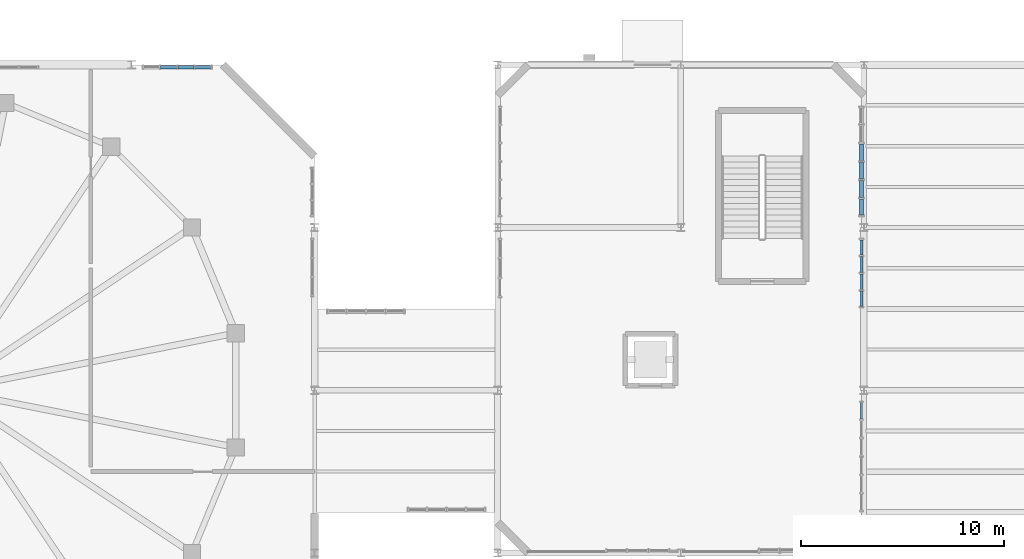
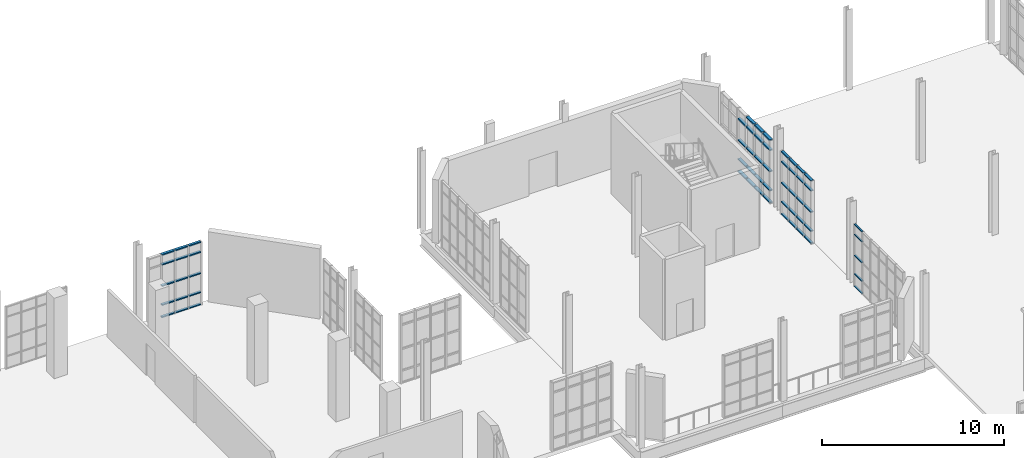
# One storey, part 135 of 189: 59 members, 4 elements without a shape of their own.
"""IFC4 building model written with IfcOpenShell, lengths in metres."""

from ifc_helpers import new_model, si_unit, direction, frame, origin, origin_2d, place, context, subcontext, project, spatial, hollow_rectangle, extrude, material, layer, layer_set, material_profile, profile_set, type_object, element, aggregate, save


model = new_model("IFC4")

# Units and contexts
model_context = context("Model", 3, precision=1e-05, world=origin(), true_north=direction((0.0, 1.0)))
body_context = subcontext(model_context, "Body", "Model", "MODEL_VIEW")
ifc_project = project(units=[si_unit("LENGTHUNIT", "METRE"), si_unit("AREAUNIT", "SQUARE_METRE"), si_unit("VOLUMEUNIT", "CUBIC_METRE"), si_unit("PLANEANGLEUNIT", "RADIAN"), si_unit("MASSUNIT", "GRAM", prefix="KILO"), si_unit("THERMODYNAMICTEMPERATUREUNIT", "KELVIN"), si_unit("POWERUNIT", "WATT")], contexts=[model_context])

# Site, building, storey
site_placement = place(None, origin())
site = spatial("IfcSite", under=ifc_project, at=site_placement, CompositionType="ELEMENT")
building_placement = place(site_placement, origin())
building = spatial("IfcBuilding", under=site, at=building_placement, Name="Zelmaris Science Centre", CompositionType="ELEMENT")
storey_placement = place(building_placement, origin())
storey = spatial("IfcBuildingStorey", under=building, at=storey_placement, Name="L00", CompositionType="ELEMENT", Elevation=0.0)

# Curtain wall, members
ifc_material = material(Name="Anodised architectural aluminium 6063-T6", Category="aluminium")
ifc_layer_1 = layer(ifc_material, 0.219970703125, Name="Anodised architectural aluminium 6063-T6")
ifc_layer_set_1 = layer_set([ifc_layer_1], Name="Anodised architectural aluminium 6063-T6")
curtain_wall_type_1 = type_object("IfcCurtainWallType", Name="Curtain Wall CW-04", PredefinedType="USERDEFINED", material=ifc_layer_set_1)
curtain_wall_1_placement = place(storey_placement, origin())
curtain_wall_1 = element("IfcCurtainWall", 1, at=curtain_wall_1_placement, inside=storey, type_object=curtain_wall_type_1, Name="L00 Unitised curtain wall 32", ObjectType="GLAZED CURTAIN WALL", PredefinedType="USERDEFINED")
ifc_material_profile_1 = material_profile(ifc_material, hollow_rectangle(XDim=0.06005859375, YDim=0.110107421875, WallThickness=0.0029296875, at=origin_2d()), Name="ALU-TRN-60X110")
ifc_profile_set_1 = profile_set([ifc_material_profile_1], Name="Anodised architectural aluminium 6063-T6")
member_type_1 = type_object("IfcMemberType", Name="ALU-TRN-60X110", PredefinedType="USERDEFINED", material=ifc_profile_set_1)
member_1_placement = place(storey_placement, frame((71.8798828125, 71.407958984375, 0.010986328125), z_axis=(0.0, -1.0, 0.0), x_axis=(0.0, 0.0, 1.0)))
member_1 = element("IfcMember", 2, at=member_1_placement, type_object=member_type_1, Name="CW-04 transom 1.1", ObjectType="TRANSOM", PredefinedType="USERDEFINED", context=body_context, shape_type="SweptSolid", body=[
    extrude(hollow_rectangle(XDim=0.06005859375, YDim=0.110107421875, WallThickness=0.0029296875, at=origin_2d()), origin(), (0.0, 0.0, 1.0), 0.8251953125),
])
member_2_placement = place(storey_placement, frame((71.8798828125, 71.407958984375, 0.8349609375), z_axis=(0.0, -1.0, 0.0), x_axis=(0.0, 0.0, 1.0)))
member_2 = element("IfcMember", 3, at=member_2_placement, type_object=member_type_1, Name="CW-04 transom 1.2", ObjectType="TRANSOM", PredefinedType="USERDEFINED", context=body_context, shape_type="SweptSolid", body=[
    extrude(hollow_rectangle(XDim=0.06005859375, YDim=0.110107421875, WallThickness=0.0029296875, at=origin_2d()), origin(), (0.0, 0.0, 1.0), 0.8251953125),
])
member_3_placement = place(storey_placement, frame((71.8798828125, 71.407958984375, 2.077880859375), z_axis=(0.0, -1.0, 0.0), x_axis=(0.0, 0.0, 1.0)))
member_3 = element("IfcMember", 4, at=member_3_placement, type_object=member_type_1, Name="CW-04 transom 1.3", ObjectType="TRANSOM", PredefinedType="USERDEFINED", context=body_context, shape_type="SweptSolid", body=[
    extrude(hollow_rectangle(XDim=0.06005859375, YDim=0.110107421875, WallThickness=0.0029296875, at=origin_2d()), origin(), (0.0, 0.0, 1.0), 0.8251953125),
])
member_4_placement = place(storey_placement, frame((71.8798828125, 71.407958984375, 3.470947265625), z_axis=(0.0, -1.0, 0.0), x_axis=(0.0, 0.0, 1.0)))
member_4 = element("IfcMember", 5, at=member_4_placement, type_object=member_type_1, Name="CW-04 transom 1.4", ObjectType="TRANSOM", PredefinedType="USERDEFINED", context=body_context, shape_type="SweptSolid", body=[
    extrude(hollow_rectangle(XDim=0.06005859375, YDim=0.110107421875, WallThickness=0.0029296875, at=origin_2d()), origin(), (0.0, 0.0, 1.0), 0.8251953125),
])
member_5_placement = place(storey_placement, frame((71.8798828125, 71.407958984375, 4.14501953125), z_axis=(0.0, -1.0, 0.0), x_axis=(0.0, 0.0, 1.0)))
member_5 = element("IfcMember", 6, at=member_5_placement, type_object=member_type_1, Name="CW-04 transom 1.5", ObjectType="TRANSOM", PredefinedType="USERDEFINED", context=body_context, shape_type="SweptSolid", body=[
    extrude(hollow_rectangle(XDim=0.06005859375, YDim=0.110107421875, WallThickness=0.0029296875, at=origin_2d()), origin(), (0.0, 0.0, 1.0), 0.8251953125),
])
aggregate(curtain_wall_1, [member_1, member_2, member_3, member_4, member_5])

ifc_layer_2 = layer(ifc_material, 0.199951171875, Name="Anodised architectural aluminium 6063-T6")
ifc_layer_set_2 = layer_set([ifc_layer_2], Name="Anodised architectural aluminium 6063-T6")
curtain_wall_type_2 = type_object("IfcCurtainWallType", Name="Curtain Wall CW-02", PredefinedType="USERDEFINED", material=ifc_layer_set_2)
curtain_wall_2_placement = place(storey_placement, origin())
curtain_wall_2 = element("IfcCurtainWall", 7, at=curtain_wall_2_placement, inside=storey, type_object=curtain_wall_type_2, Name="L00 Unitised curtain wall 22", ObjectType="GLAZED CURTAIN WALL", PredefinedType="USERDEFINED")
ifc_material_profile_2 = material_profile(ifc_material, hollow_rectangle(XDim=0.074951171875, YDim=0.159912109375, WallThickness=0.00390625, at=origin_2d()), Name="ALU-TRN-75X160")
ifc_profile_set_2 = profile_set([ifc_material_profile_2], Name="Anodised architectural aluminium 6063-T6")
member_type_2 = type_object("IfcMemberType", Name="ALU-TRN-75X160", PredefinedType="USERDEFINED", material=ifc_profile_set_2)
member_6_placement = place(storey_placement, frame((37.428466796875, 87.8798828125, 0.0185546875), z_axis=(1.0, 0.0, 0.0), x_axis=(0.0, 0.0, 1.0)))
member_6 = element("IfcMember", 8, at=member_6_placement, type_object=member_type_2, Name="CW-02 transom 2.1", ObjectType="TRANSOM", PredefinedType="USERDEFINED", context=body_context, shape_type="SweptSolid", body=[
    extrude(hollow_rectangle(XDim=0.074951171875, YDim=0.159912109375, WallThickness=0.00390625, at=origin_2d()), origin(), (0.0, 0.0, 1.0), 0.7880859375),
])
member_7_placement = place(storey_placement, frame((37.428466796875, 87.8798828125, 0.8349609375), z_axis=(1.0, 0.0, 0.0), x_axis=(0.0, 0.0, 1.0)))
member_7 = element("IfcMember", 9, at=member_7_placement, type_object=member_type_2, Name="CW-02 transom 2.2", ObjectType="TRANSOM", PredefinedType="USERDEFINED", context=body_context, shape_type="SweptSolid", body=[
    extrude(hollow_rectangle(XDim=0.074951171875, YDim=0.159912109375, WallThickness=0.00390625, at=origin_2d()), origin(), (0.0, 0.0, 1.0), 0.7880859375),
])
member_8_placement = place(storey_placement, frame((37.428466796875, 87.8798828125, 2.109619140625), z_axis=(1.0, 0.0, 0.0), x_axis=(0.0, 0.0, 1.0)))
member_8 = element("IfcMember", 10, at=member_8_placement, type_object=member_type_2, Name="CW-02 transom 2.3", ObjectType="TRANSOM", PredefinedType="USERDEFINED", context=body_context, shape_type="SweptSolid", body=[
    extrude(hollow_rectangle(XDim=0.074951171875, YDim=0.159912109375, WallThickness=0.00390625, at=origin_2d()), origin(), (0.0, 0.0, 1.0), 0.7880859375),
])
member_9_placement = place(storey_placement, frame((37.428466796875, 87.8798828125, 3.533935546875), z_axis=(1.0, 0.0, 0.0), x_axis=(0.0, 0.0, 1.0)))
member_9 = element("IfcMember", 11, at=member_9_placement, type_object=member_type_2, Name="CW-02 transom 2.4", ObjectType="TRANSOM", PredefinedType="USERDEFINED", context=body_context, shape_type="SweptSolid", body=[
    extrude(hollow_rectangle(XDim=0.074951171875, YDim=0.159912109375, WallThickness=0.00390625, at=origin_2d()), origin(), (0.0, 0.0, 1.0), 0.7880859375),
])
member_10_placement = place(storey_placement, frame((37.428466796875, 87.8798828125, 4.200439453125), z_axis=(1.0, 0.0, 0.0), x_axis=(0.0, 0.0, 1.0)))
member_10 = element("IfcMember", 12, at=member_10_placement, type_object=member_type_2, Name="CW-02 transom 2.5", ObjectType="TRANSOM", PredefinedType="USERDEFINED", context=body_context, shape_type="SweptSolid", body=[
    extrude(hollow_rectangle(XDim=0.074951171875, YDim=0.159912109375, WallThickness=0.00390625, at=origin_2d()), origin(), (0.0, 0.0, 1.0), 0.7880859375),
])
member_11_placement = place(storey_placement, frame((38.283447265625, 87.8798828125, 0.0185546875), z_axis=(1.0, 0.0, 0.0), x_axis=(0.0, 0.0, 1.0)))
member_11 = element("IfcMember", 13, at=member_11_placement, type_object=member_type_2, Name="CW-02 transom 3.1", ObjectType="TRANSOM", PredefinedType="USERDEFINED", context=body_context, shape_type="SweptSolid", body=[
    extrude(hollow_rectangle(XDim=0.074951171875, YDim=0.159912109375, WallThickness=0.00390625, at=origin_2d()), origin(), (0.0, 0.0, 1.0), 0.7880859375),
])
member_12_placement = place(storey_placement, frame((38.283447265625, 87.8798828125, 0.8349609375), z_axis=(1.0, 0.0, 0.0), x_axis=(0.0, 0.0, 1.0)))
member_12 = element("IfcMember", 14, at=member_12_placement, type_object=member_type_2, Name="CW-02 transom 3.2", ObjectType="TRANSOM", PredefinedType="USERDEFINED", context=body_context, shape_type="SweptSolid", body=[
    extrude(hollow_rectangle(XDim=0.074951171875, YDim=0.159912109375, WallThickness=0.00390625, at=origin_2d()), origin(), (0.0, 0.0, 1.0), 0.7880859375),
])
member_13_placement = place(storey_placement, frame((38.283447265625, 87.8798828125, 2.109619140625), z_axis=(1.0, 0.0, 0.0), x_axis=(0.0, 0.0, 1.0)))
member_13 = element("IfcMember", 15, at=member_13_placement, type_object=member_type_2, Name="CW-02 transom 3.3", ObjectType="TRANSOM", PredefinedType="USERDEFINED", context=body_context, shape_type="SweptSolid", body=[
    extrude(hollow_rectangle(XDim=0.074951171875, YDim=0.159912109375, WallThickness=0.00390625, at=origin_2d()), origin(), (0.0, 0.0, 1.0), 0.7880859375),
])
member_14_placement = place(storey_placement, frame((38.283447265625, 87.8798828125, 3.533935546875), z_axis=(1.0, 0.0, 0.0), x_axis=(0.0, 0.0, 1.0)))
member_14 = element("IfcMember", 16, at=member_14_placement, type_object=member_type_2, Name="CW-02 transom 3.4", ObjectType="TRANSOM", PredefinedType="USERDEFINED", context=body_context, shape_type="SweptSolid", body=[
    extrude(hollow_rectangle(XDim=0.074951171875, YDim=0.159912109375, WallThickness=0.00390625, at=origin_2d()), origin(), (0.0, 0.0, 1.0), 0.7880859375),
])
member_15_placement = place(storey_placement, frame((38.283447265625, 87.8798828125, 4.200439453125), z_axis=(1.0, 0.0, 0.0), x_axis=(0.0, 0.0, 1.0)))
member_15 = element("IfcMember", 17, at=member_15_placement, type_object=member_type_2, Name="CW-02 transom 3.5", ObjectType="TRANSOM", PredefinedType="USERDEFINED", context=body_context, shape_type="SweptSolid", body=[
    extrude(hollow_rectangle(XDim=0.074951171875, YDim=0.159912109375, WallThickness=0.00390625, at=origin_2d()), origin(), (0.0, 0.0, 1.0), 0.7880859375),
])
member_16_placement = place(storey_placement, frame((39.138427734375, 87.8798828125, 0.0185546875), z_axis=(1.0, 0.0, 0.0), x_axis=(0.0, 0.0, 1.0)))
member_16 = element("IfcMember", 18, at=member_16_placement, type_object=member_type_2, Name="CW-02 transom 4.1", ObjectType="TRANSOM", PredefinedType="USERDEFINED", context=body_context, shape_type="SweptSolid", body=[
    extrude(hollow_rectangle(XDim=0.074951171875, YDim=0.159912109375, WallThickness=0.00390625, at=origin_2d()), origin(), (0.0, 0.0, 1.0), 0.754638671875),
])
member_17_placement = place(storey_placement, frame((39.138427734375, 87.8798828125, 0.8349609375), z_axis=(1.0, 0.0, 0.0), x_axis=(0.0, 0.0, 1.0)))
member_17 = element("IfcMember", 19, at=member_17_placement, type_object=member_type_2, Name="CW-02 transom 4.2", ObjectType="TRANSOM", PredefinedType="USERDEFINED", context=body_context, shape_type="SweptSolid", body=[
    extrude(hollow_rectangle(XDim=0.074951171875, YDim=0.159912109375, WallThickness=0.00390625, at=origin_2d()), origin(), (0.0, 0.0, 1.0), 0.754638671875),
])
member_18_placement = place(storey_placement, frame((39.138427734375, 87.8798828125, 2.109619140625), z_axis=(1.0, 0.0, 0.0), x_axis=(0.0, 0.0, 1.0)))
member_18 = element("IfcMember", 20, at=member_18_placement, type_object=member_type_2, Name="CW-02 transom 4.3", ObjectType="TRANSOM", PredefinedType="USERDEFINED", context=body_context, shape_type="SweptSolid", body=[
    extrude(hollow_rectangle(XDim=0.074951171875, YDim=0.159912109375, WallThickness=0.00390625, at=origin_2d()), origin(), (0.0, 0.0, 1.0), 0.754638671875),
])
member_19_placement = place(storey_placement, frame((39.138427734375, 87.8798828125, 3.533935546875), z_axis=(1.0, 0.0, 0.0), x_axis=(0.0, 0.0, 1.0)))
member_19 = element("IfcMember", 21, at=member_19_placement, type_object=member_type_2, Name="CW-02 transom 4.4", ObjectType="TRANSOM", PredefinedType="USERDEFINED", context=body_context, shape_type="SweptSolid", body=[
    extrude(hollow_rectangle(XDim=0.074951171875, YDim=0.159912109375, WallThickness=0.00390625, at=origin_2d()), origin(), (0.0, 0.0, 1.0), 0.754638671875),
])
member_20_placement = place(storey_placement, frame((39.138427734375, 87.8798828125, 4.200439453125), z_axis=(1.0, 0.0, 0.0), x_axis=(0.0, 0.0, 1.0)))
member_20 = element("IfcMember", 22, at=member_20_placement, type_object=member_type_2, Name="CW-02 transom 4.5", ObjectType="TRANSOM", PredefinedType="USERDEFINED", context=body_context, shape_type="SweptSolid", body=[
    extrude(hollow_rectangle(XDim=0.074951171875, YDim=0.159912109375, WallThickness=0.00390625, at=origin_2d()), origin(), (0.0, 0.0, 1.0), 0.754638671875),
])
aggregate(curtain_wall_2, [member_6, member_7, member_8, member_9, member_10, member_11, member_12, member_13, member_14, member_15, member_16, member_17, member_18, member_19, member_20])

curtain_wall_3_placement = place(storey_placement, origin())
curtain_wall_3 = element("IfcCurtainWall", 23, at=curtain_wall_3_placement, inside=storey, type_object=curtain_wall_type_2, Name="L00 Unitised curtain wall 30", ObjectType="GLAZED CURTAIN WALL", PredefinedType="USERDEFINED")
member_21_placement = place(storey_placement, frame((71.8798828125, 79.39306640625, 0.0185546875), z_axis=(0.0, -1.0, 0.0), x_axis=(0.0, 0.0, 1.0)))
member_21 = element("IfcMember", 24, at=member_21_placement, type_object=member_type_2, Name="CW-02 transom 1.1", ObjectType="TRANSOM", PredefinedType="USERDEFINED", context=body_context, shape_type="SweptSolid", body=[
    extrude(hollow_rectangle(XDim=0.074951171875, YDim=0.159912109375, WallThickness=0.00390625, at=origin_2d()), origin(), (0.0, 0.0, 1.0), 0.74951171875),
])
member_22_placement = place(storey_placement, frame((71.8798828125, 79.39306640625, 0.8349609375), z_axis=(0.0, -1.0, 0.0), x_axis=(0.0, 0.0, 1.0)))
member_22 = element("IfcMember", 25, at=member_22_placement, type_object=member_type_2, Name="CW-02 transom 1.2", ObjectType="TRANSOM", PredefinedType="USERDEFINED", context=body_context, shape_type="SweptSolid", body=[
    extrude(hollow_rectangle(XDim=0.074951171875, YDim=0.159912109375, WallThickness=0.00390625, at=origin_2d()), origin(), (0.0, 0.0, 1.0), 0.74951171875),
])
member_23_placement = place(storey_placement, frame((71.8798828125, 79.39306640625, 2.109619140625), z_axis=(0.0, -1.0, 0.0), x_axis=(0.0, 0.0, 1.0)))
member_23 = element("IfcMember", 26, at=member_23_placement, type_object=member_type_2, Name="CW-02 transom 1.3", ObjectType="TRANSOM", PredefinedType="USERDEFINED", context=body_context, shape_type="SweptSolid", body=[
    extrude(hollow_rectangle(XDim=0.074951171875, YDim=0.159912109375, WallThickness=0.00390625, at=origin_2d()), origin(), (0.0, 0.0, 1.0), 0.74951171875),
])
member_24_placement = place(storey_placement, frame((71.8798828125, 79.39306640625, 3.533935546875), z_axis=(0.0, -1.0, 0.0), x_axis=(0.0, 0.0, 1.0)))
member_24 = element("IfcMember", 27, at=member_24_placement, type_object=member_type_2, Name="CW-02 transom 1.4", ObjectType="TRANSOM", PredefinedType="USERDEFINED", context=body_context, shape_type="SweptSolid", body=[
    extrude(hollow_rectangle(XDim=0.074951171875, YDim=0.159912109375, WallThickness=0.00390625, at=origin_2d()), origin(), (0.0, 0.0, 1.0), 0.74951171875),
])
member_25_placement = place(storey_placement, frame((71.8798828125, 79.39306640625, 4.200439453125), z_axis=(0.0, -1.0, 0.0), x_axis=(0.0, 0.0, 1.0)))
member_25 = element("IfcMember", 28, at=member_25_placement, type_object=member_type_2, Name="CW-02 transom 1.5", ObjectType="TRANSOM", PredefinedType="USERDEFINED", context=body_context, shape_type="SweptSolid", body=[
    extrude(hollow_rectangle(XDim=0.074951171875, YDim=0.159912109375, WallThickness=0.00390625, at=origin_2d()), origin(), (0.0, 0.0, 1.0), 0.74951171875),
])
member_26_placement = place(storey_placement, frame((71.8798828125, 78.576416015625, 0.0185546875), z_axis=(0.0, -1.0, 0.0), x_axis=(0.0, 0.0, 1.0)))
member_26 = element("IfcMember", 29, at=member_26_placement, type_object=member_type_2, Name="CW-02 transom 2.1", ObjectType="TRANSOM", PredefinedType="USERDEFINED", context=body_context, shape_type="SweptSolid", body=[
    extrude(hollow_rectangle(XDim=0.074951171875, YDim=0.159912109375, WallThickness=0.00390625, at=origin_2d()), origin(), (0.0, 0.0, 1.0), 0.782958984375),
])
member_27_placement = place(storey_placement, frame((71.8798828125, 78.576416015625, 0.8349609375), z_axis=(0.0, -1.0, 0.0), x_axis=(0.0, 0.0, 1.0)))
member_27 = element("IfcMember", 30, at=member_27_placement, type_object=member_type_2, Name="CW-02 transom 2.2", ObjectType="TRANSOM", PredefinedType="USERDEFINED", context=body_context, shape_type="SweptSolid", body=[
    extrude(hollow_rectangle(XDim=0.074951171875, YDim=0.159912109375, WallThickness=0.00390625, at=origin_2d()), origin(), (0.0, 0.0, 1.0), 0.782958984375),
])
member_28_placement = place(storey_placement, frame((71.8798828125, 78.576416015625, 2.109619140625), z_axis=(0.0, -1.0, 0.0), x_axis=(0.0, 0.0, 1.0)))
member_28 = element("IfcMember", 31, at=member_28_placement, type_object=member_type_2, Name="CW-02 transom 2.3", ObjectType="TRANSOM", PredefinedType="USERDEFINED", context=body_context, shape_type="SweptSolid", body=[
    extrude(hollow_rectangle(XDim=0.074951171875, YDim=0.159912109375, WallThickness=0.00390625, at=origin_2d()), origin(), (0.0, 0.0, 1.0), 0.782958984375),
])
member_29_placement = place(storey_placement, frame((71.8798828125, 78.576416015625, 3.533935546875), z_axis=(0.0, -1.0, 0.0), x_axis=(0.0, 0.0, 1.0)))
member_29 = element("IfcMember", 32, at=member_29_placement, type_object=member_type_2, Name="CW-02 transom 2.4", ObjectType="TRANSOM", PredefinedType="USERDEFINED", context=body_context, shape_type="SweptSolid", body=[
    extrude(hollow_rectangle(XDim=0.074951171875, YDim=0.159912109375, WallThickness=0.00390625, at=origin_2d()), origin(), (0.0, 0.0, 1.0), 0.782958984375),
])
member_30_placement = place(storey_placement, frame((71.8798828125, 78.576416015625, 4.200439453125), z_axis=(0.0, -1.0, 0.0), x_axis=(0.0, 0.0, 1.0)))
member_30 = element("IfcMember", 33, at=member_30_placement, type_object=member_type_2, Name="CW-02 transom 2.5", ObjectType="TRANSOM", PredefinedType="USERDEFINED", context=body_context, shape_type="SweptSolid", body=[
    extrude(hollow_rectangle(XDim=0.074951171875, YDim=0.159912109375, WallThickness=0.00390625, at=origin_2d()), origin(), (0.0, 0.0, 1.0), 0.782958984375),
])
member_31_placement = place(storey_placement, frame((71.8798828125, 77.7265625, 0.0185546875), z_axis=(0.0, -1.0, 0.0), x_axis=(0.0, 0.0, 1.0)))
member_31 = element("IfcMember", 34, at=member_31_placement, type_object=member_type_2, Name="CW-02 transom 3.1", ObjectType="TRANSOM", PredefinedType="USERDEFINED", context=body_context, shape_type="SweptSolid", body=[
    extrude(hollow_rectangle(XDim=0.074951171875, YDim=0.159912109375, WallThickness=0.00390625, at=origin_2d()), origin(), (0.0, 0.0, 1.0), 0.782958984375),
])
member_32_placement = place(storey_placement, frame((71.8798828125, 77.7265625, 0.8349609375), z_axis=(0.0, -1.0, 0.0), x_axis=(0.0, 0.0, 1.0)))
member_32 = element("IfcMember", 35, at=member_32_placement, type_object=member_type_2, Name="CW-02 transom 3.2", ObjectType="TRANSOM", PredefinedType="USERDEFINED", context=body_context, shape_type="SweptSolid", body=[
    extrude(hollow_rectangle(XDim=0.074951171875, YDim=0.159912109375, WallThickness=0.00390625, at=origin_2d()), origin(), (0.0, 0.0, 1.0), 0.782958984375),
])
member_33_placement = place(storey_placement, frame((71.8798828125, 77.7265625, 2.109619140625), z_axis=(0.0, -1.0, 0.0), x_axis=(0.0, 0.0, 1.0)))
member_33 = element("IfcMember", 36, at=member_33_placement, type_object=member_type_2, Name="CW-02 transom 3.3", ObjectType="TRANSOM", PredefinedType="USERDEFINED", context=body_context, shape_type="SweptSolid", body=[
    extrude(hollow_rectangle(XDim=0.074951171875, YDim=0.159912109375, WallThickness=0.00390625, at=origin_2d()), origin(), (0.0, 0.0, 1.0), 0.782958984375),
])
member_34_placement = place(storey_placement, frame((71.8798828125, 77.7265625, 3.533935546875), z_axis=(0.0, -1.0, 0.0), x_axis=(0.0, 0.0, 1.0)))
member_34 = element("IfcMember", 37, at=member_34_placement, type_object=member_type_2, Name="CW-02 transom 3.4", ObjectType="TRANSOM", PredefinedType="USERDEFINED", context=body_context, shape_type="SweptSolid", body=[
    extrude(hollow_rectangle(XDim=0.074951171875, YDim=0.159912109375, WallThickness=0.00390625, at=origin_2d()), origin(), (0.0, 0.0, 1.0), 0.782958984375),
])
member_35_placement = place(storey_placement, frame((71.8798828125, 77.7265625, 4.200439453125), z_axis=(0.0, -1.0, 0.0), x_axis=(0.0, 0.0, 1.0)))
member_35 = element("IfcMember", 38, at=member_35_placement, type_object=member_type_2, Name="CW-02 transom 3.5", ObjectType="TRANSOM", PredefinedType="USERDEFINED", context=body_context, shape_type="SweptSolid", body=[
    extrude(hollow_rectangle(XDim=0.074951171875, YDim=0.159912109375, WallThickness=0.00390625, at=origin_2d()), origin(), (0.0, 0.0, 1.0), 0.782958984375),
])
member_36_placement = place(storey_placement, frame((71.8798828125, 76.87646484375, 0.0185546875), z_axis=(0.0, -1.0, 0.0), x_axis=(0.0, 0.0, 1.0)))
member_36 = element("IfcMember", 39, at=member_36_placement, type_object=member_type_2, Name="CW-02 transom 4.1", ObjectType="TRANSOM", PredefinedType="USERDEFINED", context=body_context, shape_type="SweptSolid", body=[
    extrude(hollow_rectangle(XDim=0.074951171875, YDim=0.159912109375, WallThickness=0.00390625, at=origin_2d()), origin(), (0.0, 0.0, 1.0), 0.74951171875),
])
member_37_placement = place(storey_placement, frame((71.8798828125, 76.87646484375, 0.8349609375), z_axis=(0.0, -1.0, 0.0), x_axis=(0.0, 0.0, 1.0)))
member_37 = element("IfcMember", 40, at=member_37_placement, type_object=member_type_2, Name="CW-02 transom 4.2", ObjectType="TRANSOM", PredefinedType="USERDEFINED", context=body_context, shape_type="SweptSolid", body=[
    extrude(hollow_rectangle(XDim=0.074951171875, YDim=0.159912109375, WallThickness=0.00390625, at=origin_2d()), origin(), (0.0, 0.0, 1.0), 0.74951171875),
])
member_38_placement = place(storey_placement, frame((71.8798828125, 76.87646484375, 2.109619140625), z_axis=(0.0, -1.0, 0.0), x_axis=(0.0, 0.0, 1.0)))
member_38 = element("IfcMember", 41, at=member_38_placement, type_object=member_type_2, Name="CW-02 transom 4.3", ObjectType="TRANSOM", PredefinedType="USERDEFINED", context=body_context, shape_type="SweptSolid", body=[
    extrude(hollow_rectangle(XDim=0.074951171875, YDim=0.159912109375, WallThickness=0.00390625, at=origin_2d()), origin(), (0.0, 0.0, 1.0), 0.74951171875),
])
member_39_placement = place(storey_placement, frame((71.8798828125, 76.87646484375, 3.533935546875), z_axis=(0.0, -1.0, 0.0), x_axis=(0.0, 0.0, 1.0)))
member_39 = element("IfcMember", 42, at=member_39_placement, type_object=member_type_2, Name="CW-02 transom 4.4", ObjectType="TRANSOM", PredefinedType="USERDEFINED", context=body_context, shape_type="SweptSolid", body=[
    extrude(hollow_rectangle(XDim=0.074951171875, YDim=0.159912109375, WallThickness=0.00390625, at=origin_2d()), origin(), (0.0, 0.0, 1.0), 0.74951171875),
])
member_40_placement = place(storey_placement, frame((71.8798828125, 76.87646484375, 4.200439453125), z_axis=(0.0, -1.0, 0.0), x_axis=(0.0, 0.0, 1.0)))
member_40 = element("IfcMember", 43, at=member_40_placement, type_object=member_type_2, Name="CW-02 transom 4.5", ObjectType="TRANSOM", PredefinedType="USERDEFINED", context=body_context, shape_type="SweptSolid", body=[
    extrude(hollow_rectangle(XDim=0.074951171875, YDim=0.159912109375, WallThickness=0.00390625, at=origin_2d()), origin(), (0.0, 0.0, 1.0), 0.74951171875),
])
aggregate(curtain_wall_3, [member_21, member_22, member_23, member_24, member_25, member_26, member_27, member_28, member_29, member_30, member_31, member_32, member_33, member_34, member_35, member_36, member_37, member_38, member_39, member_40])

ifc_layer_3 = layer(ifc_material, 0.18994140625, Name="Anodised architectural aluminium 6063-T6")
ifc_layer_set_3 = layer_set([ifc_layer_3], Name="Anodised architectural aluminium 6063-T6")
curtain_wall_type_3 = type_object("IfcCurtainWallType", Name="Curtain Wall CW-01", PredefinedType="USERDEFINED", material=ifc_layer_set_3)
curtain_wall_4_placement = place(storey_placement, origin())
curtain_wall_4 = element("IfcCurtainWall", 44, at=curtain_wall_4_placement, inside=storey, type_object=curtain_wall_type_3, Name="L00 Unitised curtain wall 29", ObjectType="GLAZED CURTAIN WALL", PredefinedType="USERDEFINED")
ifc_material_profile_3 = material_profile(ifc_material, hollow_rectangle(XDim=0.080078125, YDim=0.18994140625, WallThickness=0.00439453125, at=origin_2d()), Name="ALU-TRN-80X190")
ifc_profile_set_3 = profile_set([ifc_material_profile_3], Name="Anodised architectural aluminium 6063-T6")
member_type_3 = type_object("IfcMemberType", Name="ALU-TRN-80X190", PredefinedType="USERDEFINED", material=ifc_profile_set_3)
member_41_placement = place(storey_placement, frame((71.8798828125, 84.117431640625, 0.02099609375), z_axis=(0.0, -1.0, 0.0), x_axis=(0.0, 0.0, 1.0)))
member_41 = element("IfcMember", 45, at=member_41_placement, type_object=member_type_3, Name="CW-01 transom 3.1", ObjectType="TRANSOM", PredefinedType="USERDEFINED", context=body_context, shape_type="SweptSolid", body=[
    extrude(hollow_rectangle(XDim=0.080078125, YDim=0.18994140625, WallThickness=0.00439453125, at=origin_2d()), origin(), (0.0, 0.0, 1.0), 0.83154296875),
])
member_42_placement = place(storey_placement, frame((71.8798828125, 84.117431640625, 0.8349609375), z_axis=(0.0, -1.0, 0.0), x_axis=(0.0, 0.0, 1.0)))
member_42 = element("IfcMember", 46, at=member_42_placement, type_object=member_type_3, Name="CW-01 transom 3.2", ObjectType="TRANSOM", PredefinedType="USERDEFINED", context=body_context, shape_type="SweptSolid", body=[
    extrude(hollow_rectangle(XDim=0.080078125, YDim=0.18994140625, WallThickness=0.00439453125, at=origin_2d()), origin(), (0.0, 0.0, 1.0), 0.83154296875),
])
member_43_placement = place(storey_placement, frame((71.8798828125, 84.117431640625, 2.109619140625), z_axis=(0.0, -1.0, 0.0), x_axis=(0.0, 0.0, 1.0)))
member_43 = element("IfcMember", 47, at=member_43_placement, type_object=member_type_3, Name="CW-01 transom 3.3", ObjectType="TRANSOM", PredefinedType="USERDEFINED", context=body_context, shape_type="SweptSolid", body=[
    extrude(hollow_rectangle(XDim=0.080078125, YDim=0.18994140625, WallThickness=0.00439453125, at=origin_2d()), origin(), (0.0, 0.0, 1.0), 0.83154296875),
])
member_44_placement = place(storey_placement, frame((71.8798828125, 84.117431640625, 3.533935546875), z_axis=(0.0, -1.0, 0.0), x_axis=(0.0, 0.0, 1.0)))
member_44 = element("IfcMember", 48, at=member_44_placement, type_object=member_type_3, Name="CW-01 transom 3.4", ObjectType="TRANSOM", PredefinedType="USERDEFINED", context=body_context, shape_type="SweptSolid", body=[
    extrude(hollow_rectangle(XDim=0.080078125, YDim=0.18994140625, WallThickness=0.00439453125, at=origin_2d()), origin(), (0.0, 0.0, 1.0), 0.83154296875),
])
member_45_placement = place(storey_placement, frame((71.8798828125, 83.214111328125, 0.02099609375), z_axis=(0.0, -1.0, 0.0), x_axis=(0.0, 0.0, 1.0)))
member_45 = element("IfcMember", 49, at=member_45_placement, type_object=member_type_3, Name="CW-01 transom 4.1", ObjectType="TRANSOM", PredefinedType="USERDEFINED", context=body_context, shape_type="SweptSolid", body=[
    extrude(hollow_rectangle(XDim=0.080078125, YDim=0.18994140625, WallThickness=0.00439453125, at=origin_2d()), origin(), (0.0, 0.0, 1.0), 0.83154296875),
])
member_46_placement = place(storey_placement, frame((71.8798828125, 83.214111328125, 0.8349609375), z_axis=(0.0, -1.0, 0.0), x_axis=(0.0, 0.0, 1.0)))
member_46 = element("IfcMember", 50, at=member_46_placement, type_object=member_type_3, Name="CW-01 transom 4.2", ObjectType="TRANSOM", PredefinedType="USERDEFINED", context=body_context, shape_type="SweptSolid", body=[
    extrude(hollow_rectangle(XDim=0.080078125, YDim=0.18994140625, WallThickness=0.00439453125, at=origin_2d()), origin(), (0.0, 0.0, 1.0), 0.83154296875),
])
member_47_placement = place(storey_placement, frame((71.8798828125, 83.214111328125, 2.109619140625), z_axis=(0.0, -1.0, 0.0), x_axis=(0.0, 0.0, 1.0)))
member_47 = element("IfcMember", 51, at=member_47_placement, type_object=member_type_3, Name="CW-01 transom 4.3", ObjectType="TRANSOM", PredefinedType="USERDEFINED", context=body_context, shape_type="SweptSolid", body=[
    extrude(hollow_rectangle(XDim=0.080078125, YDim=0.18994140625, WallThickness=0.00439453125, at=origin_2d()), origin(), (0.0, 0.0, 1.0), 0.83154296875),
])
member_48_placement = place(storey_placement, frame((71.8798828125, 83.214111328125, 3.533935546875), z_axis=(0.0, -1.0, 0.0), x_axis=(0.0, 0.0, 1.0)))
member_48 = element("IfcMember", 52, at=member_48_placement, type_object=member_type_3, Name="CW-01 transom 4.4", ObjectType="TRANSOM", PredefinedType="USERDEFINED", context=body_context, shape_type="SweptSolid", body=[
    extrude(hollow_rectangle(XDim=0.080078125, YDim=0.18994140625, WallThickness=0.00439453125, at=origin_2d()), origin(), (0.0, 0.0, 1.0), 0.83154296875),
])
member_49_placement = place(storey_placement, frame((71.8798828125, 83.214111328125, 4.197998046875), z_axis=(0.0, -1.0, 0.0), x_axis=(0.0, 0.0, 1.0)))
member_49 = element("IfcMember", 53, at=member_49_placement, type_object=member_type_3, Name="CW-01 transom 4.5", ObjectType="TRANSOM", PredefinedType="USERDEFINED", context=body_context, shape_type="SweptSolid", body=[
    extrude(hollow_rectangle(XDim=0.080078125, YDim=0.18994140625, WallThickness=0.00439453125, at=origin_2d()), origin(), (0.0, 0.0, 1.0), 0.83154296875),
])
member_50_placement = place(storey_placement, frame((71.8798828125, 82.310546875, 0.02099609375), z_axis=(0.0, -1.0, 0.0), x_axis=(0.0, 0.0, 1.0)))
member_50 = element("IfcMember", 54, at=member_50_placement, type_object=member_type_3, Name="CW-01 transom 5.1", ObjectType="TRANSOM", PredefinedType="USERDEFINED", context=body_context, shape_type="SweptSolid", body=[
    extrude(hollow_rectangle(XDim=0.080078125, YDim=0.18994140625, WallThickness=0.00439453125, at=origin_2d()), origin(), (0.0, 0.0, 1.0), 0.831298828125),
])
member_51_placement = place(storey_placement, frame((71.8798828125, 82.310546875, 0.8349609375), z_axis=(0.0, -1.0, 0.0), x_axis=(0.0, 0.0, 1.0)))
member_51 = element("IfcMember", 55, at=member_51_placement, type_object=member_type_3, Name="CW-01 transom 5.2", ObjectType="TRANSOM", PredefinedType="USERDEFINED", context=body_context, shape_type="SweptSolid", body=[
    extrude(hollow_rectangle(XDim=0.080078125, YDim=0.18994140625, WallThickness=0.00439453125, at=origin_2d()), origin(), (0.0, 0.0, 1.0), 0.831298828125),
])
member_52_placement = place(storey_placement, frame((71.8798828125, 82.310546875, 2.109619140625), z_axis=(0.0, -1.0, 0.0), x_axis=(0.0, 0.0, 1.0)))
member_52 = element("IfcMember", 56, at=member_52_placement, type_object=member_type_3, Name="CW-01 transom 5.3", ObjectType="TRANSOM", PredefinedType="USERDEFINED", context=body_context, shape_type="SweptSolid", body=[
    extrude(hollow_rectangle(XDim=0.080078125, YDim=0.18994140625, WallThickness=0.00439453125, at=origin_2d()), origin(), (0.0, 0.0, 1.0), 0.831298828125),
])
member_53_placement = place(storey_placement, frame((71.8798828125, 82.310546875, 3.533935546875), z_axis=(0.0, -1.0, 0.0), x_axis=(0.0, 0.0, 1.0)))
member_53 = element("IfcMember", 57, at=member_53_placement, type_object=member_type_3, Name="CW-01 transom 5.4", ObjectType="TRANSOM", PredefinedType="USERDEFINED", context=body_context, shape_type="SweptSolid", body=[
    extrude(hollow_rectangle(XDim=0.080078125, YDim=0.18994140625, WallThickness=0.00439453125, at=origin_2d()), origin(), (0.0, 0.0, 1.0), 0.831298828125),
])
member_54_placement = place(storey_placement, frame((71.8798828125, 82.310546875, 4.197998046875), z_axis=(0.0, -1.0, 0.0), x_axis=(0.0, 0.0, 1.0)))
member_54 = element("IfcMember", 58, at=member_54_placement, type_object=member_type_3, Name="CW-01 transom 5.5", ObjectType="TRANSOM", PredefinedType="USERDEFINED", context=body_context, shape_type="SweptSolid", body=[
    extrude(hollow_rectangle(XDim=0.080078125, YDim=0.18994140625, WallThickness=0.00439453125, at=origin_2d()), origin(), (0.0, 0.0, 1.0), 0.831298828125),
])
member_55_placement = place(storey_placement, frame((71.8798828125, 81.4072265625, 0.02099609375), z_axis=(0.0, -1.0, 0.0), x_axis=(0.0, 0.0, 1.0)))
member_55 = element("IfcMember", 59, at=member_55_placement, type_object=member_type_3, Name="CW-01 transom 6.1", ObjectType="TRANSOM", PredefinedType="USERDEFINED", context=body_context, shape_type="SweptSolid", body=[
    extrude(hollow_rectangle(XDim=0.080078125, YDim=0.18994140625, WallThickness=0.00439453125, at=origin_2d()), origin(), (0.0, 0.0, 1.0), 0.795166015625),
])
member_56_placement = place(storey_placement, frame((71.8798828125, 81.4072265625, 0.8349609375), z_axis=(0.0, -1.0, 0.0), x_axis=(0.0, 0.0, 1.0)))
member_56 = element("IfcMember", 60, at=member_56_placement, type_object=member_type_3, Name="CW-01 transom 6.2", ObjectType="TRANSOM", PredefinedType="USERDEFINED", context=body_context, shape_type="SweptSolid", body=[
    extrude(hollow_rectangle(XDim=0.080078125, YDim=0.18994140625, WallThickness=0.00439453125, at=origin_2d()), origin(), (0.0, 0.0, 1.0), 0.795166015625),
])
member_57_placement = place(storey_placement, frame((71.8798828125, 81.4072265625, 2.109619140625), z_axis=(0.0, -1.0, 0.0), x_axis=(0.0, 0.0, 1.0)))
member_57 = element("IfcMember", 61, at=member_57_placement, type_object=member_type_3, Name="CW-01 transom 6.3", ObjectType="TRANSOM", PredefinedType="USERDEFINED", context=body_context, shape_type="SweptSolid", body=[
    extrude(hollow_rectangle(XDim=0.080078125, YDim=0.18994140625, WallThickness=0.00439453125, at=origin_2d()), origin(), (0.0, 0.0, 1.0), 0.795166015625),
])
member_58_placement = place(storey_placement, frame((71.8798828125, 81.4072265625, 3.533935546875), z_axis=(0.0, -1.0, 0.0), x_axis=(0.0, 0.0, 1.0)))
member_58 = element("IfcMember", 62, at=member_58_placement, type_object=member_type_3, Name="CW-01 transom 6.4", ObjectType="TRANSOM", PredefinedType="USERDEFINED", context=body_context, shape_type="SweptSolid", body=[
    extrude(hollow_rectangle(XDim=0.080078125, YDim=0.18994140625, WallThickness=0.00439453125, at=origin_2d()), origin(), (0.0, 0.0, 1.0), 0.795166015625),
])
member_59_placement = place(storey_placement, frame((71.8798828125, 81.4072265625, 4.197998046875), z_axis=(0.0, -1.0, 0.0), x_axis=(0.0, 0.0, 1.0)))
member_59 = element("IfcMember", 63, at=member_59_placement, type_object=member_type_3, Name="CW-01 transom 6.5", ObjectType="TRANSOM", PredefinedType="USERDEFINED", context=body_context, shape_type="SweptSolid", body=[
    extrude(hollow_rectangle(XDim=0.080078125, YDim=0.18994140625, WallThickness=0.00439453125, at=origin_2d()), origin(), (0.0, 0.0, 1.0), 0.795166015625),
])
aggregate(curtain_wall_4, [member_41, member_42, member_43, member_44, member_45, member_46, member_47, member_48, member_49, member_50, member_51, member_52, member_53, member_54, member_55, member_56, member_57, member_58, member_59])

save(model, "model.ifc")
